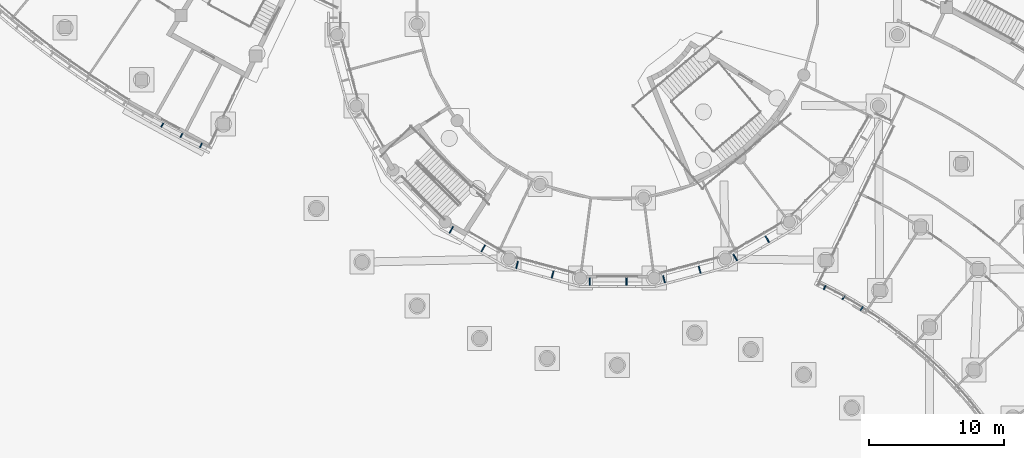
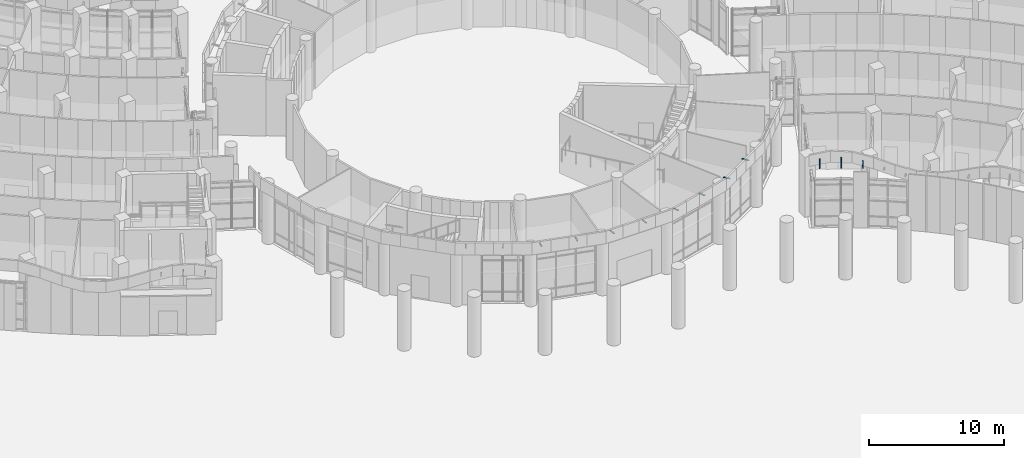
# One storey, part 106 of 146: 16 discrete accessories.
"""IFC4 building model written with IfcOpenShell, lengths in metres."""

import ifcopenshell
import ifcopenshell.guid

model = None  # the IFC model being written
_history = None  # IfcOwnerHistory: only IFC2X3 demands one
_inside = {}  # id of a spatial element -> (the spatial element, [elements in it])
_under = {}  # id of a project, library or spatial element -> (it, [spatial elements below it])
_declared = {}  # id of a project -> (the project, [libraries it declares])
_typed = {}  # id of a type object -> (the type object, [elements of that type])
_made_of = {}  # id of a material, layer set ... -> (it, [elements and type objects made of it])


def new_model(schema):
    """Start an empty IFC model of exactly this schema.

    Asked for "IFC4X3", IfcOpenShell would pick the latest addendum, in which some entities
    have other attributes; the version numbers below select the first issue.
    IFC2X3 requires an IfcOwnerHistory on every rooted entity: one is made here for all.
    """
    global model, _history
    if schema == "IFC4X3":
        model = ifcopenshell.file(schema_version=(4, 3, 0, 0))
    else:
        model = ifcopenshell.file(schema=schema)
    _inside.clear()
    _under.clear()
    _declared.clear()
    _typed.clear()
    _made_of.clear()
    _history = None
    if model.schema == "IFC2X3":
        org = make("IfcOrganization", Name="unknown")
        user = make(
            "IfcPersonAndOrganization",
            ThePerson=make("IfcPerson", FamilyName="unknown"),
            TheOrganization=org,
        )
        app = make(
            "IfcApplication",
            ApplicationDeveloper=org,
            Version="unknown",
            ApplicationFullName="unknown",
            ApplicationIdentifier="unknown",
        )
        _history = make(
            "IfcOwnerHistory",
            OwningUser=user,
            OwningApplication=app,
            ChangeAction="ADDED",
            CreationDate=0,
        )
    return model


def make(cls, **values):
    """One entity of the class cls with the attributes given. An attribute that is None is left unset."""
    return model.create_entity(
        cls, **{name: value for name, value in values.items() if value is not None}
    )


def rooted(cls, **values):
    """An entity with a GlobalId (a new one), such as an element, a storey or a relation."""
    return make(cls, GlobalId=ifcopenshell.guid.new(), OwnerHistory=_history, **values)


def si_unit(unit_type, name, prefix=None):
    """IfcSIUnit, for example si_unit("LENGTHUNIT", "METRE", prefix="MILLI")."""
    return make("IfcSIUnit", UnitType=unit_type, Prefix=prefix, Name=name)


def assignment(units):
    """IfcUnitAssignment: the units of a project."""
    return None if units is None else make("IfcUnitAssignment", Units=units)


def point(xyz):
    """IfcCartesianPoint."""
    return None if xyz is None else make("IfcCartesianPoint", Coordinates=xyz)


def direction(xyz):
    """IfcDirection."""
    return None if xyz is None else make("IfcDirection", DirectionRatios=xyz)


def frame(location, z_axis=None, x_axis=None):
    """IfcAxis2Placement3D, a coordinate frame: its origin and axes. An axis left out is left unset."""
    return make(
        "IfcAxis2Placement3D",
        Location=point(location),
        Axis=direction(z_axis),
        RefDirection=direction(x_axis),
    )


def frame_2d(location, x_axis=None):
    """IfcAxis2Placement2D, a coordinate frame in the plane: its origin and x axis."""
    return make(
        "IfcAxis2Placement2D", Location=point(location), RefDirection=direction(x_axis)
    )


def origin():
    """The frame at (0, 0, 0) with its axes left unset."""
    return frame((0.0, 0.0, 0.0))


def origin_2d():
    """The frame at (0, 0) in the plane with its x axis left unset."""
    return frame_2d((0.0, 0.0))


def place(relative_to, where):
    """IfcLocalPlacement: puts the frame where relative to a parent placement (None: the world)."""
    return make(
        "IfcLocalPlacement", PlacementRelTo=relative_to, RelativePlacement=where
    )


def context(
    kind, dimensions, precision=None, world=None, true_north=None, identifier=None
):
    """IfcGeometricRepresentationContext, for example the 3D "Model" context."""
    return make(
        "IfcGeometricRepresentationContext",
        ContextIdentifier=identifier,
        ContextType=kind,
        CoordinateSpaceDimension=dimensions,
        Precision=precision,
        WorldCoordinateSystem=world,
        TrueNorth=true_north,
    )


def subcontext(parent, identifier, kind, view, scale=None):
    """IfcGeometricRepresentationSubContext, for example "Body" below "Model"."""
    return make(
        "IfcGeometricRepresentationSubContext",
        ContextIdentifier=identifier,
        ContextType=kind,
        ParentContext=parent,
        TargetScale=scale,
        TargetView=view,
    )


def project(units=None, contexts=None):
    """IfcProject with its units and contexts."""
    return rooted(
        "IfcProject",
        Name="project",
        RepresentationContexts=contexts,
        UnitsInContext=assignment(units),
    )


def spatial(cls, under=None, at=None, **own):
    """A site, building, storey or space (cls), placed at a placement, below another one or the project."""
    s = rooted(cls, ObjectPlacement=at, **own)
    if under is not None:
        _under.setdefault(under.id(), (under, []))[1].append(s)
    return s


def profile(cls, at=None, kind="AREA", **sizes):
    """A parametric profile (cls). Its sizes go by their IFC names, for example OverallWidth=200.0."""
    return make(cls, ProfileType=kind, Position=at, **sizes)


def rectangle(**sizes):
    """IfcRectangleProfileDef."""
    return profile("IfcRectangleProfileDef", **sizes)


def extrude(swept, where, along, depth):
    """IfcExtrudedAreaSolid: the profile swept, set in the frame where, extruded along a direction by depth."""
    return make(
        "IfcExtrudedAreaSolid",
        SweptArea=swept,
        Position=where,
        ExtrudedDirection=direction(along),
        Depth=depth,
    )


def shape(context_of_items, identifier, shape_type, items):
    """IfcShapeRepresentation: the items that make up one representation, for example the "Body"."""
    return make(
        "IfcShapeRepresentation",
        ContextOfItems=context_of_items,
        RepresentationIdentifier=identifier,
        RepresentationType=shape_type,
        Items=items,
    )


def material(Name=None, Category=None):
    """IfcMaterial."""
    return make("IfcMaterial", Name=Name, Category=Category)


def material_profile(
    of_material, cross_section, Name=None, Category=None, Priority=None
):
    """IfcMaterialProfile: a cross section and its material."""
    return make(
        "IfcMaterialProfile",
        Name=Name,
        Material=of_material,
        Profile=cross_section,
        Priority=Priority,
        Category=Category,
    )


def profile_set(profiles, Name=None, composite=None):
    """IfcMaterialProfileSet."""
    return make(
        "IfcMaterialProfileSet",
        Name=Name,
        MaterialProfiles=profiles,
        CompositeProfile=composite,
    )


def made_of(thing, what):
    """Note that an element or type object is made of a material, layer set ...; save() writes the relation."""
    if what is not None:
        _made_of.setdefault(what.id(), (what, []))[1].append(thing)
    return thing


def type_object(cls, material=None, **own):
    """A type object (cls), such as IfcWallType, which elements share."""
    return made_of(rooted(cls, **own), material)


def element(
    cls,
    number,
    at=None,
    inside=None,
    cuts=None,
    type_object=None,
    material=None,
    context=None,
    identifier="Body",
    shape_type=None,
    held_by="IfcProductDefinitionShape",
    body=None,
    shapes=None,
    **own,
):
    """One element of the class cls, such as IfcWall. Its Tag is "e" and its number.

    at: its placement. inside: the storey or other place that contains it. cuts: it is an
    opening in that element (IfcRelVoidsElement). A single representation is given by context,
    identifier, shape_type and body (its items); several are given by shapes. held_by: the class
    of the entity that holds the representations. save() writes the other relations.
    """
    e = rooted(cls, Tag="e%d" % number, ObjectPlacement=at, **own)
    if body is not None:
        shapes = [shape(context, identifier, shape_type, body)]
    if shapes is not None:
        e.Representation = make(held_by, Representations=shapes)
    if inside is not None:
        _inside.setdefault(inside.id(), (inside, []))[1].append(e)
    if cuts is not None:
        rooted(
            "IfcRelVoidsElement", RelatingBuildingElement=cuts, RelatedOpeningElement=e
        )
    if type_object is not None:
        _typed.setdefault(type_object.id(), (type_object, []))[1].append(e)
    return made_of(e, material)


def aggregate(whole, parts):
    """IfcRelAggregates: a whole, such as a stair, and the parts it consists of."""
    return rooted("IfcRelAggregates", RelatingObject=whole, RelatedObjects=parts)


def save(model, path):
    """Write the relations noted so far, then the file.

    IfcRelAggregates (storeys below a building ...), IfcRelContainedInSpatialStructure (elements
    in a storey), IfcRelDefinesByType, IfcRelAssociatesMaterial and IfcRelDeclares: one each for
    every whole, place, type object, material and project.
    """
    for whole, parts in _under.values():
        aggregate(whole, parts)
    for where, things in _inside.values():
        rooted(
            "IfcRelContainedInSpatialStructure",
            RelatedElements=things,
            RelatingStructure=where,
        )
    for kind, things in _typed.values():
        rooted("IfcRelDefinesByType", RelatedObjects=things, RelatingType=kind)
    for what, things in _made_of.values():
        rooted("IfcRelAssociatesMaterial", RelatedObjects=things, RelatingMaterial=what)
    for by, libraries in _declared.values():
        rooted("IfcRelDeclares", RelatingContext=by, RelatedDefinitions=libraries)
    model.write(path)


model = new_model("IFC4")

# Units and contexts
model_context = context("Model", 3, precision=1e-05, world=origin(), true_north=direction((0.0, 1.0)))
body_context = subcontext(model_context, "Body", "Model", "MODEL_VIEW")
ifc_project = project(units=[si_unit("LENGTHUNIT", "METRE"), si_unit("AREAUNIT", "SQUARE_METRE"), si_unit("VOLUMEUNIT", "CUBIC_METRE"), si_unit("PLANEANGLEUNIT", "RADIAN"), si_unit("MASSUNIT", "GRAM", prefix="KILO")], contexts=[model_context])

# Site, building, storey
site_placement = place(None, origin())
site = spatial("IfcSite", under=ifc_project, at=site_placement, CompositionType="ELEMENT")
building_placement = place(site_placement, origin())
building = spatial("IfcBuilding", under=site, at=building_placement, Name="Bougainvillea Quay General Hospital", CompositionType="ELEMENT")
storey_placement = place(building_placement, origin())
storey = spatial("IfcBuildingStorey", under=building, at=storey_placement, Name="L00", CompositionType="ELEMENT", Elevation=0.0)

# Discrete accessories
ifc_material = material(Name="Stainless steel bracket, grade 316", Category="steel")
ifc_material_profile = material_profile(ifc_material, rectangle(XDim=0.080078125, YDim=0.050048828125, at=origin_2d()))
ifc_profile_set = profile_set([ifc_material_profile], Name="Stainless steel bracket, grade 316")
discrete_accessory_type = type_object("IfcDiscreteAccessoryType", Name="Stainless steel stand-off bracket 80x50", PredefinedType="BRACKET", material=ifc_profile_set)
discrete_accessory_1_placement = place(storey_placement, frame((75.456298828125, 64.67529296875, 5.340087890625), z_axis=(-0.233261103797, -0.423967817037, 0.875123161374), x_axis=(0.876147132812, -0.482043775673, 0.0)))
element("IfcDiscreteAccessory", 1, at=discrete_accessory_1_placement, inside=storey, type_object=discrete_accessory_type, Name="Fascia bracket a01 33", PredefinedType="BRACKET", context=body_context, shape_type="SweptSolid", body=[
    extrude(rectangle(XDim=0.080078125, YDim=0.050048828125, at=origin_2d()), origin(), (0.0, 0.0, 1.0), 0.61962890625),
])
discrete_accessory_2_placement = place(storey_placement, frame((76.887451171875, 63.909423828125, 5.340087890625), z_axis=(-0.162724579841, -0.312270760611, 0.935952821024), x_axis=(0.886816844414, -0.462121071218, 0.0)))
element("IfcDiscreteAccessory", 2, at=discrete_accessory_2_placement, inside=storey, type_object=discrete_accessory_type, Name="Fascia bracket a01 34", PredefinedType="BRACKET", context=body_context, shape_type="SweptSolid", body=[
    extrude(rectangle(XDim=0.080078125, YDim=0.050048828125, at=origin_2d()), origin(), (0.0, 0.0, 1.0), 0.852294921875),
])
discrete_accessory_3_placement = place(storey_placement, frame((78.335693359375, 63.177001953125, 5.340087890625), z_axis=(-0.189419860787, -0.385479901196, 0.90306442855), x_axis=(0.897497826972, -0.441018877805, 0.0)))
element("IfcDiscreteAccessory", 3, at=discrete_accessory_3_placement, inside=storey, type_object=discrete_accessory_type, Name="Fascia bracket a01 35", PredefinedType="BRACKET", context=body_context, shape_type="SweptSolid", body=[
    extrude(rectangle(XDim=0.080078125, YDim=0.050048828125, at=origin_2d()), origin(), (0.0, 0.0, 1.0), 0.698486328125),
])
discrete_accessory_4_placement = place(storey_placement, frame((124.541015625, 52.33203125, 5.340087890625), z_axis=(0.182781820892, 0.361604468769, 0.914239035547), x_axis=(-0.892464349263, 0.451117928368, 0.0)))
element("IfcDiscreteAccessory", 4, at=discrete_accessory_4_placement, inside=storey, type_object=discrete_accessory_type, Name="Fascia bracket a21 1", PredefinedType="BRACKET", context=body_context, shape_type="SweptSolid", body=[
    extrude(rectangle(XDim=0.080078125, YDim=0.050048828125, at=origin_2d()), origin(), (0.0, 0.0, 1.0), 0.739990234375),
])
discrete_accessory_5_placement = place(storey_placement, frame((125.931640625, 51.587646484375, 5.340087890625), z_axis=(0.174225818094, 0.307846941392, 0.935347863089), x_axis=(-0.870289777735, 0.492540051945, 0.0)))
element("IfcDiscreteAccessory", 5, at=discrete_accessory_5_placement, inside=storey, type_object=discrete_accessory_type, Name="Fascia bracket a21 2", PredefinedType="BRACKET", context=body_context, shape_type="SweptSolid", body=[
    extrude(rectangle(XDim=0.080078125, YDim=0.050048828125, at=origin_2d()), origin(), (0.0, 0.0, 1.0), 0.847900390625),
])
discrete_accessory_6_placement = place(storey_placement, frame((127.286376953125, 50.779541015625, 5.340087890625), z_axis=(0.270629975544, 0.430359594137, 0.861132995577), x_axis=(-0.846531749872, 0.532338235015, 0.0)))
element("IfcDiscreteAccessory", 6, at=discrete_accessory_6_placement, inside=storey, type_object=discrete_accessory_type, Name="Fascia bracket a21 3", PredefinedType="BRACKET", context=body_context, shape_type="SweptSolid", body=[
    extrude(rectangle(XDim=0.080078125, YDim=0.050048828125, at=origin_2d()), origin(), (0.0, 0.0, 1.0), 0.590087890625),
])
for number, where, z_axis, x_axis, name in (
    (7, (97.009521484375, 56.997314453125, 5.340087890625), (-0.496932825288, -0.861026591596, 0.108124815449), (0.866104278045, -0.499863360881, 0.0), "Fascia bracket e1 15"),
    (8, (99.383544921875, 55.626953125, 5.340087890625), (-0.497265059771, -0.860837738787, 0.10810109995), (0.865912065108, -0.500196256984, 0.0), "Fascia bracket e1 17"),
    (9, (101.825927734375, 54.421630859375, 5.340087890625), (-0.257278196369, -0.960269906172, 0.108118624546), (0.965932200741, -0.258795254151, 0.0), "Fascia bracket e1 19"),
    (10, (104.473388671875, 53.712158203125, 5.340087890625), (-0.257278196369, -0.960269906172, 0.108118624546), (0.965932200741, -0.258795254151, 0.0), "Fascia bracket e1 21"),
    (11, (107.144287109375, 53.179931640625, 5.340087890625), (0.0, -0.994139309541, 0.108106582706), (1.0, 0.0, 0.0), "Fascia bracket e1 23"),
    (12, (109.88525390625, 53.179931640625, 5.340087890625), (0.0, -0.994139309541, 0.108106582706), (1.0, 0.0, 0.0), "Fascia bracket e1 25"),
    (13, (112.602783203125, 53.357421875, 5.340087890625), (0.257690216075, -0.9601608051, 0.108106340648), (0.965821158526, 0.259209355046, 0.0), "Fascia bracket e1 27"),
    (14, (115.25048828125, 54.06689453125, 5.340087890625), (0.257278196369, -0.960269906172, 0.108118624546), (0.965932200741, 0.258795254151, 0.0), "Fascia bracket e1 29"),
    (15, (117.82958984375, 54.941650390625, 5.340087890625), (0.496932825288, -0.861026591596, 0.108124815449), (0.866104278045, 0.499863360881, 0.0), "Fascia bracket e1 31"),
    (16, (120.20361328125, 56.31201171875, 5.340087890625), (0.496932825288, -0.861026591596, 0.108124815449), (0.866104278045, 0.499863360881, 0.0), "Fascia bracket e1 33"),
):
    element("IfcDiscreteAccessory", number, at=place(storey_placement, frame(where, z_axis=z_axis, x_axis=x_axis)), inside=storey, type_object=discrete_accessory_type, Name=name, PredefinedType="BRACKET", context=body_context, shape_type="SweptSolid", body=[
        extrude(rectangle(XDim=0.080078125, YDim=0.050048828125, at=origin_2d()), origin(), (0.0, 0.0, 1.0), 0.55322265625),
    ])

save(model, "model.ifc")
